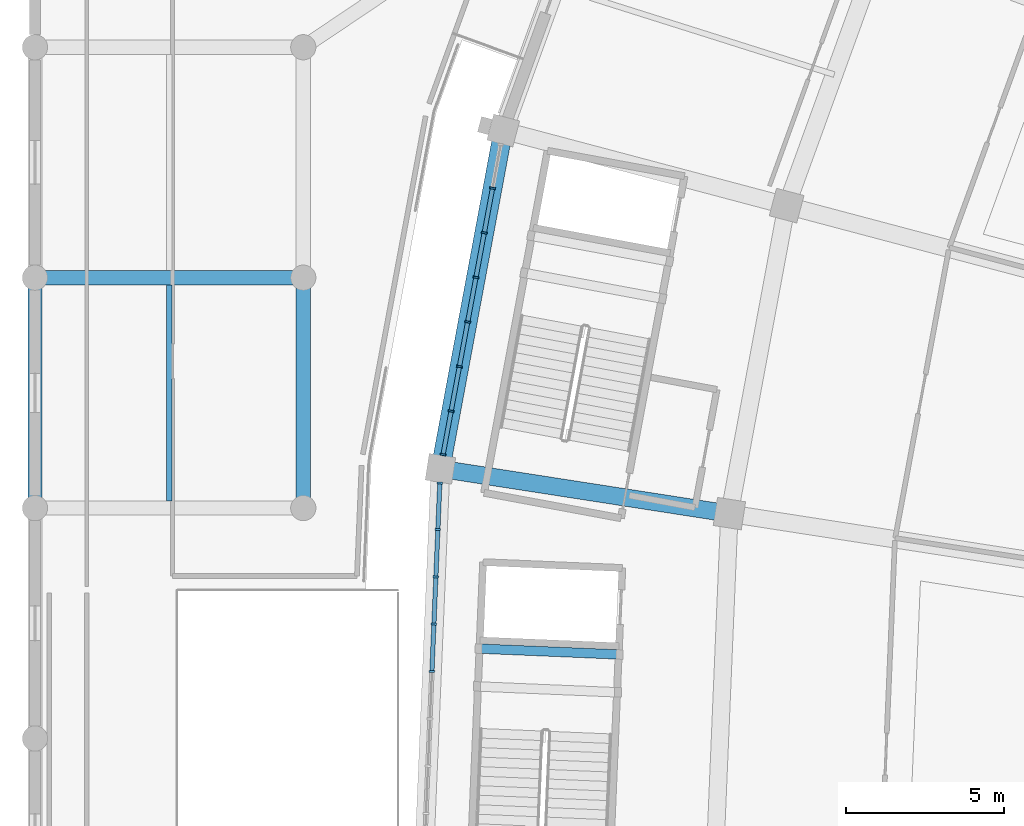
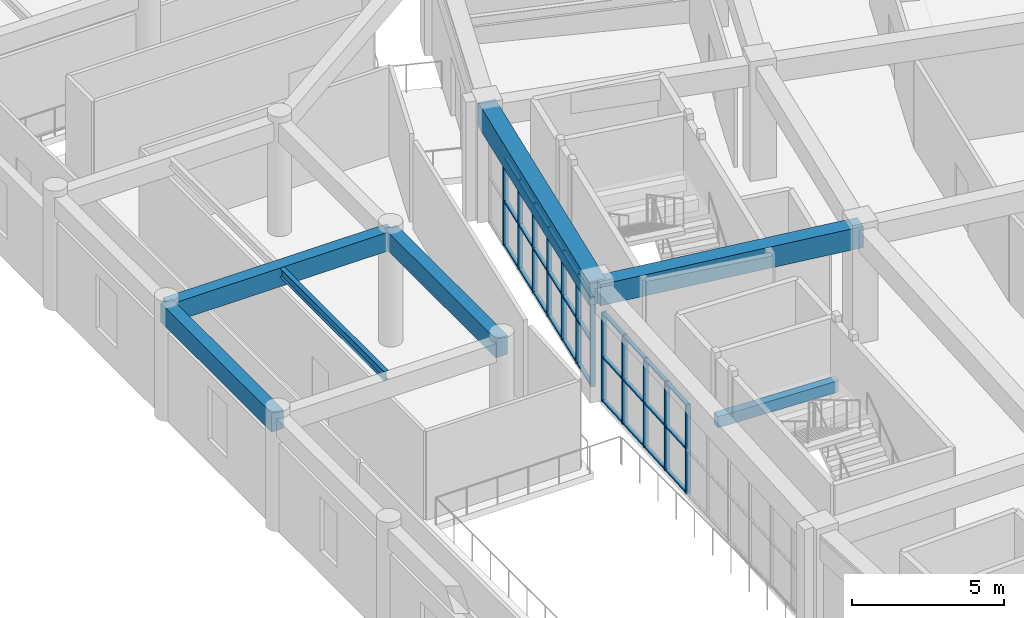
# One storey, part 30 of 152: 42 members, 7 beams, 2 elements without a shape of their own.
"""IFC4 building model written with IfcOpenShell, lengths in metres."""

from ifc_helpers import new_model, si_unit, direction, frame, origin, origin_2d, place, context, subcontext, project, spatial, rectangle, i_section, extrude, material, layer, layer_set, material_profile, profile_set, type_object, element, aggregate, save


model = new_model("IFC4")

# Units and contexts
model_context = context("Model", 3, precision=1e-05, world=origin(), true_north=direction((0.0, 1.0)))
body_context = subcontext(model_context, "Body", "Model", "MODEL_VIEW")
ifc_project = project(units=[si_unit("LENGTHUNIT", "METRE"), si_unit("AREAUNIT", "SQUARE_METRE"), si_unit("VOLUMEUNIT", "CUBIC_METRE"), si_unit("PLANEANGLEUNIT", "RADIAN"), si_unit("MASSUNIT", "GRAM", prefix="KILO")], contexts=[model_context])

# Site, building, storey
site_placement = place(None, origin())
site = spatial("IfcSite", under=ifc_project, at=site_placement, CompositionType="ELEMENT")
building_placement = place(site_placement, origin())
building = spatial("IfcBuilding", under=site, at=building_placement, Name="Mphavela Belvedere Stadium", CompositionType="ELEMENT")
storey_placement = place(building_placement, frame((0.0, 0.0, 5.39990234375)))
storey = spatial("IfcBuildingStorey", under=building, at=storey_placement, Name="L01", CompositionType="ELEMENT", Elevation=5.39990234375)

# Beams
ifc_material_1 = material(Name="Concrete C40/50", Category="concrete")
ifc_material_profile_1 = material_profile(ifc_material_1, rectangle(XDim=0.60009765625, YDim=0.949951171875, at=origin_2d()), Name="RC 600x950")
ifc_profile_set_1 = profile_set([ifc_material_profile_1], Name="Concrete C40/50")
beam_type_1 = type_object("IfcBeamType", Name="BM-ENTABLATURE-950", PredefinedType="SPANDREL", material=ifc_profile_set_1)
beam_1_placement = place(storey_placement, frame((14.83544921875, 113.5625, 4.0751953125), z_axis=(-0.18264260648, -0.983179372393, 0.0), x_axis=(0.983179372393, -0.18264260648, 0.0)))
element("IfcBeam", 1, at=beam_1_placement, inside=storey, type_object=beam_type_1, Name="Circumferential girder L01 R4-23", PredefinedType="SPANDREL", context=body_context, shape_type="SweptSolid", body=[
    extrude(rectangle(XDim=0.60009765625, YDim=0.949951171875, at=origin_2d()), origin(), (0.0, 0.0, 1.0), 10.90087890625),
])
ifc_material_2 = material(Name="Steel S355", Category="steel")
ifc_material_profile_2 = material_profile(ifc_material_2, i_section(OverallWidth=0.169921875, OverallDepth=0.360107421875, WebThickness=0.008056640625, FlangeThickness=0.0126953125, at=origin_2d()), Name="IPE 360")
ifc_profile_set_2 = profile_set([ifc_material_profile_2], Name="Steel S355")
beam_type_2 = type_object("IfcBeamType", Name="BM-JOIST-IPE360", PredefinedType="JOIST", material=ifc_profile_set_2)
beam_2_placement = place(storey_placement, frame((4.25, 101.824951171875, 4.360107421875), z_axis=(0.0, 1.0, 0.0), x_axis=(-1.0, 0.0, 0.0)))
element("IfcBeam", 2, at=beam_2_placement, inside=storey, type_object=beam_type_2, Name="West Planted Eaves Peristyle Colonnade secondary joist L01 1-8", PredefinedType="JOIST", context=body_context, shape_type="SweptSolid", body=[
    extrude(i_section(OverallWidth=0.169921875, OverallDepth=0.360107421875, WebThickness=0.008056640625, FlangeThickness=0.0126953125, at=origin_2d()), origin(), (0.0, 0.0, 1.0), 6.85009765625),
])
ifc_material_3 = material(Name="Concrete C40/50", Category="concrete")
ifc_material_profile_3 = material_profile(ifc_material_3, rectangle(XDim=0.300048828125, YDim=0.449951171875, at=origin_2d()), Name="RC 300x450")
ifc_profile_set_3 = profile_set([ifc_material_profile_3], Name="Concrete C40/50")
beam_type_3 = type_object("IfcBeamType", Name="BM-RC300x450", PredefinedType="BEAM", material=ifc_profile_set_3)
beam_3_placement = place(storey_placement, frame((18.5205078125, 96.96240234375, 1.97509765625), z_axis=(-0.999124533389, 0.041834994675, 0.0), x_axis=(-0.041834994675, -0.999124533389, 0.0)))
element("IfcBeam", 3, at=beam_3_placement, inside=storey, type_object=beam_type_3, Name="Core C07 landing trimmer beam L01-2", PredefinedType="BEAM", context=body_context, shape_type="SweptSolid", body=[
    extrude(rectangle(XDim=0.300048828125, YDim=0.449951171875, at=origin_2d()), origin(), (0.0, 0.0, 1.0), 4.47021484375),
])
ifc_material_4 = material(Name="Concrete C40/50", Category="concrete")
ifc_material_profile_4 = material_profile(ifc_material_4, rectangle(XDim=0.449951171875, YDim=0.75, at=origin_2d()), Name="RC 450x750")
ifc_profile_set_4 = profile_set([ifc_material_profile_4], Name="Concrete C40/50")
beam_type_4 = type_object("IfcBeamType", Name="BM-RC450x750", PredefinedType="BEAM", material=ifc_profile_set_4)
beam_4_placement = place(storey_placement, frame((0.0, 101.60009765625, 4.1650390625), z_axis=(0.0, 1.0, 0.0), x_axis=(-1.0, 0.0, 0.0)))
element("IfcBeam", 4, at=beam_4_placement, inside=storey, type_object=beam_type_4, Name="West Planted Eaves Peristyle Colonnade entablature beam Y L01 1-8", PredefinedType="BEAM", context=body_context, shape_type="SweptSolid", body=[
    extrude(rectangle(XDim=0.449951171875, YDim=0.75, at=origin_2d()), origin(), (0.0, 0.0, 1.0), 7.2998046875),
])
beam_5_placement = place(storey_placement, frame((0.0, 108.89990234375, 4.1650390625), z_axis=(1.0, 0.0, 0.0), x_axis=(0.0, 1.0, 0.0)))
element("IfcBeam", 5, at=beam_5_placement, inside=storey, type_object=beam_type_4, Name="West Planted Eaves Peristyle Colonnade entablature beam X L01 1-9", PredefinedType="BEAM", context=body_context, shape_type="SweptSolid", body=[
    extrude(rectangle(XDim=0.449951171875, YDim=0.75, at=origin_2d()), origin(), (0.0, 0.0, 1.0), 8.5),
])
beam_6_placement = place(storey_placement, frame((8.5, 101.60009765625, 4.1650390625), z_axis=(0.0, 1.0, 0.0), x_axis=(-1.0, 0.0, 0.0)))
element("IfcBeam", 6, at=beam_6_placement, inside=storey, type_object=beam_type_4, Name="West Planted Eaves Peristyle Colonnade entablature beam Y L01 2-8", PredefinedType="BEAM", context=body_context, shape_type="SweptSolid", body=[
    extrude(rectangle(XDim=0.449951171875, YDim=0.75, at=origin_2d()), origin(), (0.0, 0.0, 1.0), 7.2998046875),
])
ifc_material_5 = material(Name="Concrete C40/50", Category="concrete")
ifc_material_profile_5 = material_profile(ifc_material_5, rectangle(XDim=0.550048828125, YDim=0.85009765625, at=origin_2d()), Name="RC 550x850")
ifc_profile_set_5 = profile_set([ifc_material_profile_5], Name="Concrete C40/50")
beam_type_5 = type_object("IfcBeamType", Name="BM-RC550x850", PredefinedType="BEAM", material=ifc_profile_set_5)
beam_7_placement = place(storey_placement, frame((22.0, 101.4248046875, 4.125), z_axis=(-0.988182369303, 0.153282761586, 0.0), x_axis=(-0.153282761586, -0.988182369303, 0.0)))
element("IfcBeam", 7, at=beam_7_placement, inside=storey, type_object=beam_type_5, Name="Radial concourse girder L01 R3R4-24", PredefinedType="BEAM", context=body_context, shape_type="SweptSolid", body=[
    extrude(rectangle(XDim=0.550048828125, YDim=0.85009765625, at=origin_2d()), origin(), (0.0, 0.0, 1.0), 9.264892578125),
])

# Curtain wall, members
ifc_material_6 = material(Name="Anodised bronze unitised curtain wall framing")
ifc_layer_1 = layer(ifc_material_6, 0.18505859375)
ifc_layer_set_1 = layer_set([ifc_layer_1], Name="Anodised bronze unitised curtain wall framing")
curtain_wall_type_1 = type_object("IfcCurtainWallType", Name="CW-UNIT-02", PredefinedType="USERDEFINED", material=ifc_layer_set_1)
curtain_wall_1_placement = place(storey_placement, origin())
curtain_wall_1 = element("IfcCurtainWall", 8, at=curtain_wall_1_placement, inside=storey, type_object=curtain_wall_type_1, Name="Belvedere colonnade curtain wall L01-23", ObjectType="UNITISED CURTAIN WALL", PredefinedType="USERDEFINED")
ifc_material_7 = material(Name="Anodised bronze extruded aluminium", Category="aluminium")
ifc_material_profile_6 = material_profile(ifc_material_7, rectangle(XDim=0.179931640625, YDim=0.06494140625, at=origin_2d()), Name="CW-MUL 180x65")
ifc_profile_set_6 = profile_set([ifc_material_profile_6], Name="Anodised bronze extruded aluminium")
member_type_1 = type_object("IfcMemberType", Name="CWM-180x65", PredefinedType="MULLION", material=ifc_profile_set_6)
member_1_placement = place(storey_placement, frame((14.495849609375, 111.734375, 0.0), z_axis=(0.0, 0.0, 1.0), x_axis=(0.983183659932, -0.182619524814, 0.0)))
member_1 = element("IfcMember", 9, at=member_1_placement, type_object=member_type_1, Name="CW-02 mullion 2", PredefinedType="MULLION", context=body_context, shape_type="SweptSolid", body=[
    extrude(rectangle(XDim=0.179931640625, YDim=0.06494140625, at=origin_2d()), origin(), (0.0, 0.0, 1.0), 3.570068359375),
])
member_2_placement = place(storey_placement, frame((14.2333984375, 110.322021484375, 0.0), z_axis=(0.0, 0.0, 1.0), x_axis=(0.983183659932, -0.182619524814, 0.0)))
member_2 = element("IfcMember", 10, at=member_2_placement, type_object=member_type_1, Name="CW-02 mullion 3", PredefinedType="MULLION", context=body_context, shape_type="SweptSolid", body=[
    extrude(rectangle(XDim=0.179931640625, YDim=0.06494140625, at=origin_2d()), origin(), (0.0, 0.0, 1.0), 3.570068359375),
])
member_3_placement = place(storey_placement, frame((13.97119140625, 108.909912109375, 0.0), z_axis=(0.0, 0.0, 1.0), x_axis=(0.983183659932, -0.182619524814, 0.0)))
member_3 = element("IfcMember", 11, at=member_3_placement, type_object=member_type_1, Name="CW-02 mullion 4", PredefinedType="MULLION", context=body_context, shape_type="SweptSolid", body=[
    extrude(rectangle(XDim=0.179931640625, YDim=0.06494140625, at=origin_2d()), origin(), (0.0, 0.0, 1.0), 3.570068359375),
])
member_4_placement = place(storey_placement, frame((13.708740234375, 107.49755859375, 0.0), z_axis=(0.0, 0.0, 1.0), x_axis=(0.983183659932, -0.182619524814, 0.0)))
member_4 = element("IfcMember", 12, at=member_4_placement, type_object=member_type_1, Name="CW-02 mullion 5", PredefinedType="MULLION", context=body_context, shape_type="SweptSolid", body=[
    extrude(rectangle(XDim=0.179931640625, YDim=0.06494140625, at=origin_2d()), origin(), (0.0, 0.0, 1.0), 3.570068359375),
])
member_5_placement = place(storey_placement, frame((13.446533203125, 106.08544921875, 0.0), z_axis=(0.0, 0.0, 1.0), x_axis=(0.983183659932, -0.182619524814, 0.0)))
member_5 = element("IfcMember", 13, at=member_5_placement, type_object=member_type_1, Name="CW-02 mullion 6", PredefinedType="MULLION", context=body_context, shape_type="SweptSolid", body=[
    extrude(rectangle(XDim=0.179931640625, YDim=0.06494140625, at=origin_2d()), origin(), (0.0, 0.0, 1.0), 3.570068359375),
])
member_6_placement = place(storey_placement, frame((13.184326171875, 104.673095703125, 0.0), z_axis=(0.0, 0.0, 1.0), x_axis=(0.983183659932, -0.182619524814, 0.0)))
member_6 = element("IfcMember", 14, at=member_6_placement, type_object=member_type_1, Name="CW-02 mullion 7", PredefinedType="MULLION", context=body_context, shape_type="SweptSolid", body=[
    extrude(rectangle(XDim=0.179931640625, YDim=0.06494140625, at=origin_2d()), origin(), (0.0, 0.0, 1.0), 3.570068359375),
])
member_7_placement = place(storey_placement, frame((12.927734375, 103.29296875, 0.0), z_axis=(0.0, 0.0, 1.0), x_axis=(0.983183659932, -0.182619524814, 0.0)))
member_7 = element("IfcMember", 15, at=member_7_placement, type_object=member_type_1, Name="CW-02 mullion 8", PredefinedType="MULLION", context=body_context, shape_type="SweptSolid", body=[
    extrude(rectangle(XDim=0.179931640625, YDim=0.06494140625, at=origin_2d()), origin(), (0.0, 0.0, 1.0), 3.570068359375),
])

ifc_material_8 = material(Name="Anodised bronze unitised curtain wall framing")
ifc_layer_2 = layer(ifc_material_8, 0.18994140625)
ifc_layer_set_2 = layer_set([ifc_layer_2], Name="Anodised bronze unitised curtain wall framing")
curtain_wall_type_2 = type_object("IfcCurtainWallType", Name="CW-UNIT-03", PredefinedType="USERDEFINED", material=ifc_layer_set_2)
curtain_wall_2_placement = place(storey_placement, origin())
curtain_wall_2 = element("IfcCurtainWall", 16, at=curtain_wall_2_placement, inside=storey, type_object=curtain_wall_type_2, Name="Belvedere colonnade curtain wall L01-24", ObjectType="UNITISED CURTAIN WALL", PredefinedType="USERDEFINED")
member_8_placement = place(storey_placement, frame((12.825439453125, 102.389892578125, 0.0), z_axis=(0.0, 0.0, 1.0), x_axis=(0.999121374449, -0.04191037006, 0.0)))
member_8 = element("IfcMember", 17, at=member_8_placement, type_object=member_type_1, Name="CW-03 mullion 1", PredefinedType="MULLION", context=body_context, shape_type="SweptSolid", body=[
    extrude(rectangle(XDim=0.179931640625, YDim=0.06494140625, at=origin_2d()), origin(), (0.0, 0.0, 1.0), 3.570068359375),
])
member_9_placement = place(storey_placement, frame((12.763916015625, 100.92236328125, 0.0), z_axis=(0.0, 0.0, 1.0), x_axis=(0.999121374449, -0.04191037006, 0.0)))
member_9 = element("IfcMember", 18, at=member_9_placement, type_object=member_type_1, Name="CW-03 mullion 2", PredefinedType="MULLION", context=body_context, shape_type="SweptSolid", body=[
    extrude(rectangle(XDim=0.179931640625, YDim=0.06494140625, at=origin_2d()), origin(), (0.0, 0.0, 1.0), 3.570068359375),
])
member_10_placement = place(storey_placement, frame((12.701171875, 99.42236328125, 0.0), z_axis=(0.0, 0.0, 1.0), x_axis=(0.999121374449, -0.04191037006, 0.0)))
member_10 = element("IfcMember", 19, at=member_10_placement, type_object=member_type_1, Name="CW-03 mullion 3", PredefinedType="MULLION", context=body_context, shape_type="SweptSolid", body=[
    extrude(rectangle(XDim=0.179931640625, YDim=0.06494140625, at=origin_2d()), origin(), (0.0, 0.0, 1.0), 3.570068359375),
])
member_11_placement = place(storey_placement, frame((12.63818359375, 97.92236328125, 0.0), z_axis=(0.0, 0.0, 1.0), x_axis=(0.999121374449, -0.04191037006, 0.0)))
member_11 = element("IfcMember", 20, at=member_11_placement, type_object=member_type_1, Name="CW-03 mullion 4", PredefinedType="MULLION", context=body_context, shape_type="SweptSolid", body=[
    extrude(rectangle(XDim=0.179931640625, YDim=0.06494140625, at=origin_2d()), origin(), (0.0, 0.0, 1.0), 3.570068359375),
])
member_12_placement = place(storey_placement, frame((12.5751953125, 96.42236328125, 0.0), z_axis=(0.0, 0.0, 1.0), x_axis=(0.999121374449, -0.04191037006, 0.0)))
member_12 = element("IfcMember", 21, at=member_12_placement, type_object=member_type_1, Name="CW-03 mullion 5", PredefinedType="MULLION", context=body_context, shape_type="SweptSolid", body=[
    extrude(rectangle(XDim=0.179931640625, YDim=0.06494140625, at=origin_2d()), origin(), (0.0, 0.0, 1.0), 3.570068359375),
])

# Member
ifc_material_9 = material(Name="Anodised bronze extruded aluminium", Category="aluminium")
ifc_material_profile_7 = material_profile(ifc_material_9, rectangle(XDim=0.139892578125, YDim=0.06005859375, at=origin_2d()), Name="CW-TRN 140x60")
ifc_profile_set_7 = profile_set([ifc_material_profile_7], Name="Anodised bronze extruded aluminium")
member_type_2 = type_object("IfcMemberType", Name="CWT-140x60", PredefinedType="USERDEFINED", material=ifc_profile_set_7)
member_13_placement = place(storey_placement, frame((14.48974609375, 111.702392578125, 0.030029296875), z_axis=(-0.182471732278, -0.983211099876, 0.0), x_axis=(0.983211099876, -0.182471732278, 0.0)))
member_13 = element("IfcMember", 22, at=member_13_placement, type_object=member_type_2, Name="CW-02 transom 2.1", ObjectType="TRANSOM", PredefinedType="USERDEFINED", context=body_context, shape_type="SweptSolid", body=[
    extrude(rectangle(XDim=0.139892578125, YDim=0.06005859375, at=origin_2d()), origin(), (0.0, 0.0, 1.0), 1.371337890625),
])

member_14_placement = place(storey_placement, frame((14.48974609375, 111.702392578125, 1.78515625), z_axis=(-0.182471732278, -0.983211099876, 0.0), x_axis=(0.983211099876, -0.182471732278, 0.0)))
member_14 = element("IfcMember", 23, at=member_14_placement, type_object=member_type_2, Name="CW-02 transom 2.2", ObjectType="TRANSOM", PredefinedType="USERDEFINED", context=body_context, shape_type="SweptSolid", body=[
    extrude(rectangle(XDim=0.139892578125, YDim=0.06005859375, at=origin_2d()), origin(), (0.0, 0.0, 1.0), 1.371337890625),
])

member_15_placement = place(storey_placement, frame((14.48974609375, 111.702392578125, 3.5400390625), z_axis=(-0.182471732278, -0.983211099876, 0.0), x_axis=(0.983211099876, -0.182471732278, 0.0)))
member_15 = element("IfcMember", 24, at=member_15_placement, type_object=member_type_2, Name="CW-02 transom 2.3", ObjectType="TRANSOM", PredefinedType="USERDEFINED", context=body_context, shape_type="SweptSolid", body=[
    extrude(rectangle(XDim=0.139892578125, YDim=0.06005859375, at=origin_2d()), origin(), (0.0, 0.0, 1.0), 1.371337890625),
])

member_16_placement = place(storey_placement, frame((14.2275390625, 110.2900390625, 0.030029296875), z_axis=(-0.182675789722, -0.983173207451, 0.0), x_axis=(0.983173207451, -0.182675789722, 0.0)))
member_16 = element("IfcMember", 25, at=member_16_placement, type_object=member_type_2, Name="CW-02 transom 3.1", ObjectType="TRANSOM", PredefinedType="USERDEFINED", context=body_context, shape_type="SweptSolid", body=[
    extrude(rectangle(XDim=0.139892578125, YDim=0.06005859375, at=origin_2d()), origin(), (0.0, 0.0, 1.0), 1.371337890625),
])

member_17_placement = place(storey_placement, frame((14.2275390625, 110.2900390625, 1.78515625), z_axis=(-0.182675789722, -0.983173207451, 0.0), x_axis=(0.983173207451, -0.182675789722, 0.0)))
member_17 = element("IfcMember", 26, at=member_17_placement, type_object=member_type_2, Name="CW-02 transom 3.2", ObjectType="TRANSOM", PredefinedType="USERDEFINED", context=body_context, shape_type="SweptSolid", body=[
    extrude(rectangle(XDim=0.139892578125, YDim=0.06005859375, at=origin_2d()), origin(), (0.0, 0.0, 1.0), 1.371337890625),
])

member_18_placement = place(storey_placement, frame((14.2275390625, 110.2900390625, 3.5400390625), z_axis=(-0.182675789722, -0.983173207451, 0.0), x_axis=(0.983173207451, -0.182675789722, 0.0)))
member_18 = element("IfcMember", 27, at=member_18_placement, type_object=member_type_2, Name="CW-02 transom 3.3", ObjectType="TRANSOM", PredefinedType="USERDEFINED", context=body_context, shape_type="SweptSolid", body=[
    extrude(rectangle(XDim=0.139892578125, YDim=0.06005859375, at=origin_2d()), origin(), (0.0, 0.0, 1.0), 1.371337890625),
])

member_19_placement = place(storey_placement, frame((13.96533203125, 108.8779296875, 0.030029296875), z_axis=(-0.182643817711, -0.983179147385, 0.0), x_axis=(0.983179147385, -0.182643817711, 0.0)))
member_19 = element("IfcMember", 28, at=member_19_placement, type_object=member_type_2, Name="CW-02 transom 4.1", ObjectType="TRANSOM", PredefinedType="USERDEFINED", context=body_context, shape_type="SweptSolid", body=[
    extrude(rectangle(XDim=0.139892578125, YDim=0.06005859375, at=origin_2d()), origin(), (0.0, 0.0, 1.0), 1.371337890625),
])

member_20_placement = place(storey_placement, frame((13.96533203125, 108.8779296875, 1.78515625), z_axis=(-0.182643817711, -0.983179147385, 0.0), x_axis=(0.983179147385, -0.182643817711, 0.0)))
member_20 = element("IfcMember", 29, at=member_20_placement, type_object=member_type_2, Name="CW-02 transom 4.2", ObjectType="TRANSOM", PredefinedType="USERDEFINED", context=body_context, shape_type="SweptSolid", body=[
    extrude(rectangle(XDim=0.139892578125, YDim=0.06005859375, at=origin_2d()), origin(), (0.0, 0.0, 1.0), 1.371337890625),
])

member_21_placement = place(storey_placement, frame((13.96533203125, 108.8779296875, 3.5400390625), z_axis=(-0.182643817711, -0.983179147385, 0.0), x_axis=(0.983179147385, -0.182643817711, 0.0)))
member_21 = element("IfcMember", 30, at=member_21_placement, type_object=member_type_2, Name="CW-02 transom 4.3", ObjectType="TRANSOM", PredefinedType="USERDEFINED", context=body_context, shape_type="SweptSolid", body=[
    extrude(rectangle(XDim=0.139892578125, YDim=0.06005859375, at=origin_2d()), origin(), (0.0, 0.0, 1.0), 1.371337890625),
])

member_22_placement = place(storey_placement, frame((13.702880859375, 107.465576171875, 0.030029296875), z_axis=(-0.182675789722, -0.983173207451, 0.0), x_axis=(0.983173207451, -0.182675789722, 0.0)))
member_22 = element("IfcMember", 31, at=member_22_placement, type_object=member_type_2, Name="CW-02 transom 5.1", ObjectType="TRANSOM", PredefinedType="USERDEFINED", context=body_context, shape_type="SweptSolid", body=[
    extrude(rectangle(XDim=0.139892578125, YDim=0.06005859375, at=origin_2d()), origin(), (0.0, 0.0, 1.0), 1.371337890625),
])

member_23_placement = place(storey_placement, frame((13.702880859375, 107.465576171875, 1.78515625), z_axis=(-0.182675789722, -0.983173207451, 0.0), x_axis=(0.983173207451, -0.182675789722, 0.0)))
member_23 = element("IfcMember", 32, at=member_23_placement, type_object=member_type_2, Name="CW-02 transom 5.2", ObjectType="TRANSOM", PredefinedType="USERDEFINED", context=body_context, shape_type="SweptSolid", body=[
    extrude(rectangle(XDim=0.139892578125, YDim=0.06005859375, at=origin_2d()), origin(), (0.0, 0.0, 1.0), 1.371337890625),
])

member_24_placement = place(storey_placement, frame((13.702880859375, 107.465576171875, 3.5400390625), z_axis=(-0.182675789722, -0.983173207451, 0.0), x_axis=(0.983173207451, -0.182675789722, 0.0)))
member_24 = element("IfcMember", 33, at=member_24_placement, type_object=member_type_2, Name="CW-02 transom 5.3", ObjectType="TRANSOM", PredefinedType="USERDEFINED", context=body_context, shape_type="SweptSolid", body=[
    extrude(rectangle(XDim=0.139892578125, YDim=0.06005859375, at=origin_2d()), origin(), (0.0, 0.0, 1.0), 1.371337890625),
])

member_25_placement = place(storey_placement, frame((13.440673828125, 106.053466796875, 0.030029296875), z_axis=(-0.182643817711, -0.983179147385, 0.0), x_axis=(0.983179147385, -0.182643817711, 0.0)))
member_25 = element("IfcMember", 34, at=member_25_placement, type_object=member_type_2, Name="CW-02 transom 6.1", ObjectType="TRANSOM", PredefinedType="USERDEFINED", context=body_context, shape_type="SweptSolid", body=[
    extrude(rectangle(XDim=0.139892578125, YDim=0.06005859375, at=origin_2d()), origin(), (0.0, 0.0, 1.0), 1.371337890625),
])

member_26_placement = place(storey_placement, frame((13.440673828125, 106.053466796875, 1.78515625), z_axis=(-0.182643817711, -0.983179147385, 0.0), x_axis=(0.983179147385, -0.182643817711, 0.0)))
member_26 = element("IfcMember", 35, at=member_26_placement, type_object=member_type_2, Name="CW-02 transom 6.2", ObjectType="TRANSOM", PredefinedType="USERDEFINED", context=body_context, shape_type="SweptSolid", body=[
    extrude(rectangle(XDim=0.139892578125, YDim=0.06005859375, at=origin_2d()), origin(), (0.0, 0.0, 1.0), 1.371337890625),
])

member_27_placement = place(storey_placement, frame((13.440673828125, 106.053466796875, 3.5400390625), z_axis=(-0.182643817711, -0.983179147385, 0.0), x_axis=(0.983179147385, -0.182643817711, 0.0)))
member_27 = element("IfcMember", 36, at=member_27_placement, type_object=member_type_2, Name="CW-02 transom 6.3", ObjectType="TRANSOM", PredefinedType="USERDEFINED", context=body_context, shape_type="SweptSolid", body=[
    extrude(rectangle(XDim=0.139892578125, YDim=0.06005859375, at=origin_2d()), origin(), (0.0, 0.0, 1.0), 1.371337890625),
])

member_28_placement = place(storey_placement, frame((13.17822265625, 104.64111328125, 0.030029296875), z_axis=(-0.182526723568, -0.983200892587, 0.0), x_axis=(0.983200892587, -0.182526723568, 0.0)))
member_28 = element("IfcMember", 37, at=member_28_placement, type_object=member_type_2, Name="CW-02 transom 7.1", ObjectType="TRANSOM", PredefinedType="USERDEFINED", context=body_context, shape_type="SweptSolid", body=[
    extrude(rectangle(XDim=0.139892578125, YDim=0.06005859375, at=origin_2d()), origin(), (0.0, 0.0, 1.0), 1.3388671875),
])

member_29_placement = place(storey_placement, frame((13.17822265625, 104.64111328125, 1.78515625), z_axis=(-0.182526723568, -0.983200892587, 0.0), x_axis=(0.983200892587, -0.182526723568, 0.0)))
member_29 = element("IfcMember", 38, at=member_29_placement, type_object=member_type_2, Name="CW-02 transom 7.2", ObjectType="TRANSOM", PredefinedType="USERDEFINED", context=body_context, shape_type="SweptSolid", body=[
    extrude(rectangle(XDim=0.139892578125, YDim=0.06005859375, at=origin_2d()), origin(), (0.0, 0.0, 1.0), 1.3388671875),
])

member_30_placement = place(storey_placement, frame((13.17822265625, 104.64111328125, 3.5400390625), z_axis=(-0.182526723568, -0.983200892587, 0.0), x_axis=(0.983200892587, -0.182526723568, 0.0)))
member_30 = element("IfcMember", 39, at=member_30_placement, type_object=member_type_2, Name="CW-02 transom 7.3", ObjectType="TRANSOM", PredefinedType="USERDEFINED", context=body_context, shape_type="SweptSolid", body=[
    extrude(rectangle(XDim=0.139892578125, YDim=0.06005859375, at=origin_2d()), origin(), (0.0, 0.0, 1.0), 1.3388671875),
])

aggregate(curtain_wall_1, [member_1, member_2, member_3, member_4, member_5, member_6, member_7, member_13, member_14, member_15, member_16, member_17, member_18, member_19, member_20, member_21, member_22, member_23, member_24, member_25, member_26, member_27, member_28, member_29, member_30])

member_31_placement = place(storey_placement, frame((12.82421875, 102.357421875, 0.030029296875), z_axis=(-0.041912659373, -0.999121278416, 0.0), x_axis=(0.999121278416, -0.041912659373, 0.0)))
member_31 = element("IfcMember", 40, at=member_31_placement, type_object=member_type_2, Name="CW-03 transom 1.1", ObjectType="TRANSOM", PredefinedType="USERDEFINED", context=body_context, shape_type="SweptSolid", body=[
    extrude(rectangle(XDim=0.139892578125, YDim=0.06005859375, at=origin_2d()), origin(), (0.0, 0.0, 1.0), 1.40380859375),
])

member_32_placement = place(storey_placement, frame((12.82421875, 102.357421875, 1.78515625), z_axis=(-0.041912659373, -0.999121278416, 0.0), x_axis=(0.999121278416, -0.041912659373, 0.0)))
member_32 = element("IfcMember", 41, at=member_32_placement, type_object=member_type_2, Name="CW-03 transom 1.2", ObjectType="TRANSOM", PredefinedType="USERDEFINED", context=body_context, shape_type="SweptSolid", body=[
    extrude(rectangle(XDim=0.139892578125, YDim=0.06005859375, at=origin_2d()), origin(), (0.0, 0.0, 1.0), 1.40380859375),
])

member_33_placement = place(storey_placement, frame((12.82421875, 102.357421875, 3.5400390625), z_axis=(-0.041912659373, -0.999121278416, 0.0), x_axis=(0.999121278416, -0.041912659373, 0.0)))
member_33 = element("IfcMember", 42, at=member_33_placement, type_object=member_type_2, Name="CW-03 transom 1.3", ObjectType="TRANSOM", PredefinedType="USERDEFINED", context=body_context, shape_type="SweptSolid", body=[
    extrude(rectangle(XDim=0.139892578125, YDim=0.06005859375, at=origin_2d()), origin(), (0.0, 0.0, 1.0), 1.40380859375),
])

member_34_placement = place(storey_placement, frame((12.7626953125, 100.889892578125, 0.030029296875), z_axis=(-0.041984044824, -0.999118281276, 0.0), x_axis=(0.999118281276, -0.041984044824, 0.0)))
member_34 = element("IfcMember", 43, at=member_34_placement, type_object=member_type_2, Name="CW-03 transom 2.1", ObjectType="TRANSOM", PredefinedType="USERDEFINED", context=body_context, shape_type="SweptSolid", body=[
    extrude(rectangle(XDim=0.139892578125, YDim=0.06005859375, at=origin_2d()), origin(), (0.0, 0.0, 1.0), 1.436279296875),
])

member_35_placement = place(storey_placement, frame((12.7626953125, 100.889892578125, 1.78515625), z_axis=(-0.041984044824, -0.999118281276, 0.0), x_axis=(0.999118281276, -0.041984044824, 0.0)))
member_35 = element("IfcMember", 44, at=member_35_placement, type_object=member_type_2, Name="CW-03 transom 2.2", ObjectType="TRANSOM", PredefinedType="USERDEFINED", context=body_context, shape_type="SweptSolid", body=[
    extrude(rectangle(XDim=0.139892578125, YDim=0.06005859375, at=origin_2d()), origin(), (0.0, 0.0, 1.0), 1.436279296875),
])

member_36_placement = place(storey_placement, frame((12.7626953125, 100.889892578125, 3.5400390625), z_axis=(-0.041984044824, -0.999118281276, 0.0), x_axis=(0.999118281276, -0.041984044824, 0.0)))
member_36 = element("IfcMember", 45, at=member_36_placement, type_object=member_type_2, Name="CW-03 transom 2.3", ObjectType="TRANSOM", PredefinedType="USERDEFINED", context=body_context, shape_type="SweptSolid", body=[
    extrude(rectangle(XDim=0.139892578125, YDim=0.06005859375, at=origin_2d()), origin(), (0.0, 0.0, 1.0), 1.436279296875),
])

member_37_placement = place(storey_placement, frame((12.69970703125, 99.389892578125, 0.030029296875), z_axis=(-0.041984044824, -0.999118281276, 0.0), x_axis=(0.999118281276, -0.041984044824, 0.0)))
member_37 = element("IfcMember", 46, at=member_37_placement, type_object=member_type_2, Name="CW-03 transom 3.1", ObjectType="TRANSOM", PredefinedType="USERDEFINED", context=body_context, shape_type="SweptSolid", body=[
    extrude(rectangle(XDim=0.139892578125, YDim=0.06005859375, at=origin_2d()), origin(), (0.0, 0.0, 1.0), 1.436279296875),
])

member_38_placement = place(storey_placement, frame((12.69970703125, 99.389892578125, 1.78515625), z_axis=(-0.041984044824, -0.999118281276, 0.0), x_axis=(0.999118281276, -0.041984044824, 0.0)))
member_38 = element("IfcMember", 47, at=member_38_placement, type_object=member_type_2, Name="CW-03 transom 3.2", ObjectType="TRANSOM", PredefinedType="USERDEFINED", context=body_context, shape_type="SweptSolid", body=[
    extrude(rectangle(XDim=0.139892578125, YDim=0.06005859375, at=origin_2d()), origin(), (0.0, 0.0, 1.0), 1.436279296875),
])

member_39_placement = place(storey_placement, frame((12.69970703125, 99.389892578125, 3.5400390625), z_axis=(-0.041984044824, -0.999118281276, 0.0), x_axis=(0.999118281276, -0.041984044824, 0.0)))
member_39 = element("IfcMember", 48, at=member_39_placement, type_object=member_type_2, Name="CW-03 transom 3.3", ObjectType="TRANSOM", PredefinedType="USERDEFINED", context=body_context, shape_type="SweptSolid", body=[
    extrude(rectangle(XDim=0.139892578125, YDim=0.06005859375, at=origin_2d()), origin(), (0.0, 0.0, 1.0), 1.436279296875),
])

member_40_placement = place(storey_placement, frame((12.63671875, 97.889892578125, 0.030029296875), z_axis=(-0.04181436673, -0.999125396902, 0.0), x_axis=(0.999125396902, -0.04181436673, 0.0)))
member_40 = element("IfcMember", 49, at=member_40_placement, type_object=member_type_2, Name="CW-03 transom 4.1", ObjectType="TRANSOM", PredefinedType="USERDEFINED", context=body_context, shape_type="SweptSolid", body=[
    extrude(rectangle(XDim=0.139892578125, YDim=0.06005859375, at=origin_2d()), origin(), (0.0, 0.0, 1.0), 1.436279296875),
])

member_41_placement = place(storey_placement, frame((12.63671875, 97.889892578125, 1.78515625), z_axis=(-0.04181436673, -0.999125396902, 0.0), x_axis=(0.999125396902, -0.04181436673, 0.0)))
member_41 = element("IfcMember", 50, at=member_41_placement, type_object=member_type_2, Name="CW-03 transom 4.2", ObjectType="TRANSOM", PredefinedType="USERDEFINED", context=body_context, shape_type="SweptSolid", body=[
    extrude(rectangle(XDim=0.139892578125, YDim=0.06005859375, at=origin_2d()), origin(), (0.0, 0.0, 1.0), 1.436279296875),
])

member_42_placement = place(storey_placement, frame((12.63671875, 97.889892578125, 3.5400390625), z_axis=(-0.04181436673, -0.999125396902, 0.0), x_axis=(0.999125396902, -0.04181436673, 0.0)))
member_42 = element("IfcMember", 51, at=member_42_placement, type_object=member_type_2, Name="CW-03 transom 4.3", ObjectType="TRANSOM", PredefinedType="USERDEFINED", context=body_context, shape_type="SweptSolid", body=[
    extrude(rectangle(XDim=0.139892578125, YDim=0.06005859375, at=origin_2d()), origin(), (0.0, 0.0, 1.0), 1.436279296875),
])

aggregate(curtain_wall_2, [member_8, member_9, member_10, member_11, member_12, member_31, member_32, member_33, member_34, member_35, member_36, member_37, member_38, member_39, member_40, member_41, member_42])

save(model, "model.ifc")
